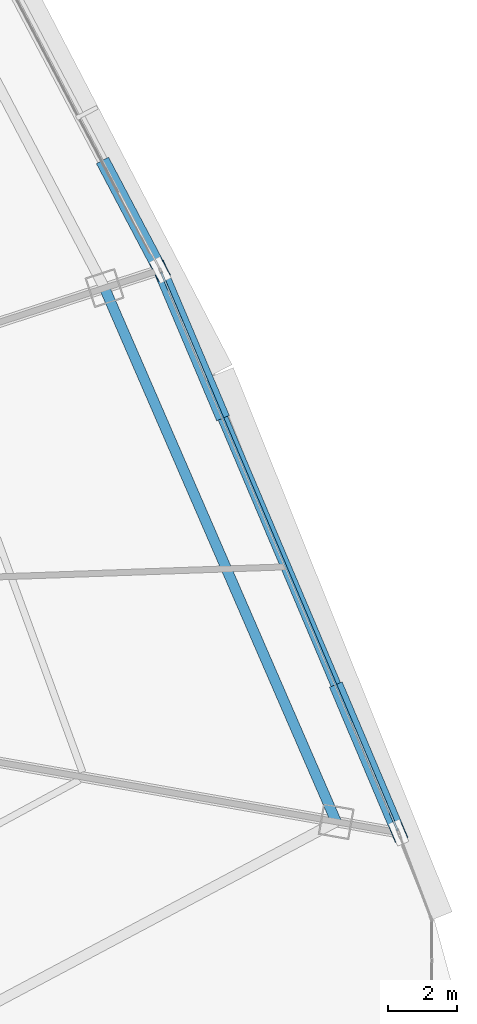
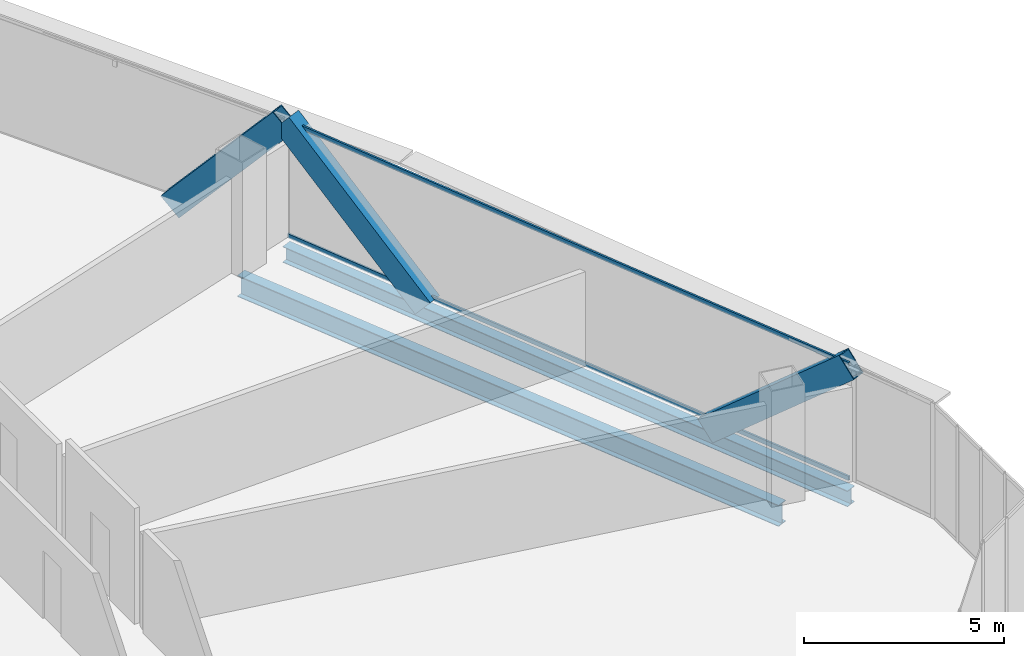
# One storey, part 24 of 38: 5 members, 2 beams, 1 element without a shape of its own.
"""IFC4 building model written with IfcOpenShell, lengths in metres."""

from ifc_helpers import new_model, si_unit, direction, frame, origin, origin_2d, place, context, subcontext, project, spatial, hollow_rectangle, i_section, extrude, source, transform, mapped, material, layer, layer_set, material_profile, profile_set, type_object, element, aggregate, save


model = new_model("IFC4")

# Units and contexts
model_context = context("Model", 3, precision=1e-05, world=origin(), true_north=direction((0.0, 1.0)))
body_context = subcontext(model_context, "Body", "Model", "MODEL_VIEW")
ifc_project = project(units=[si_unit("LENGTHUNIT", "METRE"), si_unit("AREAUNIT", "SQUARE_METRE"), si_unit("VOLUMEUNIT", "CUBIC_METRE"), si_unit("PLANEANGLEUNIT", "RADIAN"), si_unit("MASSUNIT", "GRAM", prefix="KILO"), si_unit("THERMODYNAMICTEMPERATUREUNIT", "KELVIN"), si_unit("POWERUNIT", "WATT")], contexts=[model_context])

# Site, building, storey
site_placement = place(None, origin())
site = spatial("IfcSite", under=ifc_project, at=site_placement, CompositionType="ELEMENT")
building_placement = place(site_placement, origin())
building = spatial("IfcBuilding", under=site, at=building_placement, Name="Yunzhuo Pagoda Commons", CompositionType="ELEMENT")
storey_placement = place(building_placement, frame((0.0, 0.0, 203.760009765625)))
storey = spatial("IfcBuildingStorey", under=building, at=storey_placement, Name="L51", CompositionType="ELEMENT", Elevation=203.760009765625)

# Beams
ifc_material_1 = material(Name="Structural steel Q355B", Category="steel")
ifc_material_profile_1 = material_profile(ifc_material_1, i_section(OverallWidth=0.300048828125, OverallDepth=0.64990234375, WebThickness=0.012939453125, FlangeThickness=0.02197265625, at=origin_2d()), Name="Structural steel Q355B")
ifc_profile_set_1 = profile_set([ifc_material_profile_1], Name="Structural steel Q355B")
beam_type_1 = type_object("IfcBeamType", Name="B-RG2 Beam HN 650x300x13x22", PredefinedType="BEAM", material=ifc_profile_set_1)
shared_shape_1 = source(origin(), body_context, "Body", "SweptSolid", [
    extrude(i_section(OverallWidth=0.300048828125, OverallDepth=0.64990234375, WebThickness=0.012939453125, FlangeThickness=0.02197265625, at=origin_2d()), origin(), (0.0, 0.0, 1.0), 16.859619140625),
])
beam_1_placement = place(storey_placement, frame((83.20654296875, 27.492431640625, -0.5849609375), z_axis=(-0.398104384161, 0.917340121935, 0.0), x_axis=(-0.917340121935, -0.398104384161, 0.0)))
element("IfcBeam", 1, at=beam_1_placement, inside=storey, type_object=beam_type_1, Name="L51 column-ring beam 5", PredefinedType="BEAM", context=body_context, shape_type="MappedRepresentation", body=[
    mapped(shared_shape_1, transform((0.0, 0.0, 0.0), scale=1.0)),
])
ifc_material_profile_2 = material_profile(ifc_material_1, i_section(OverallWidth=0.300048828125, OverallDepth=0.488037109375, WebThickness=0.010986328125, FlangeThickness=0.01806640625, at=origin_2d()), Name="Structural steel Q355B")
ifc_profile_set_2 = profile_set([ifc_material_profile_2], Name="Structural steel Q355B")
beam_type_2 = type_object("IfcBeamType", Name="B-SP1 Beam HM 488x300x11x18", PredefinedType="BEAM", material=ifc_profile_set_2)
shared_shape_2 = source(origin(), body_context, "Body", "SweptSolid", [
    extrude(i_section(OverallWidth=0.300048828125, OverallDepth=0.488037109375, WebThickness=0.010986328125, FlangeThickness=0.01806640625, at=origin_2d()), origin(), (0.0, 0.0, 1.0), 17.71142578125),
])
beam_2_placement = place(storey_placement, frame((85.014404296875, 27.17333984375, -0.503662109375), z_axis=(-0.389974526581, 0.92082564507, 0.0), x_axis=(-0.92082564507, -0.389974526581, 0.0)))
element("IfcBeam", 2, at=beam_2_placement, inside=storey, type_object=beam_type_2, Name="L51 facade edge spandrel beam F2.1", PredefinedType="BEAM", context=body_context, shape_type="MappedRepresentation", body=[
    mapped(shared_shape_2, transform((0.0, 0.0, 0.0), scale=1.0)),
])

# Members
ifc_material_profile_3 = material_profile(ifc_material_1, hollow_rectangle(XDim=0.39990234375, YDim=0.719970703125, WallThickness=0.02392578125, at=origin_2d()), Name="Structural steel Q355B")
ifc_profile_set_3 = profile_set([ifc_material_profile_3], Name="Structural steel Q355B")
member_type_1 = type_object("IfcMemberType", Name="M-DL2 Brace BOX 720x400x24", PredefinedType="BRACE", material=ifc_profile_set_3)
shared_shape_3 = source(origin(), body_context, "Body", "SweptSolid", [
    extrude(hollow_rectangle(XDim=0.39990234375, YDim=0.719970703125, WallThickness=0.02392578125, at=origin_2d()), origin(), (0.0, 0.0, 1.0), 5.8349609375),
])
for number, where, z_axis, x_axis, name in (
    (3, (83.28759765625, 31.25048828125, -0.260009765625), (0.295947496417, -0.698759110725, 0.651268596313), (0.920816502007, 0.389996114892, 0.0), "L51 facade diamond brace F2.1L"),
    (4, (79.83447265625, 39.4052734375, -0.260009765625), (-0.295985672854, 0.698750457544, 0.651260531237), (-0.920796700115, -0.390042865666, 0.0), "L51 facade diamond brace F2.1R"),
):
    element("IfcMember", number, at=place(storey_placement, frame(where, z_axis=z_axis, x_axis=x_axis)), inside=storey, type_object=member_type_1, Name=name, PredefinedType="BRACE", context=body_context, shape_type="MappedRepresentation", body=[
        mapped(shared_shape_3, transform((0.0, 0.0, 0.0), scale=1.0)),
    ])
shared_shape_4 = source(origin(), body_context, "Body", "SweptSolid", [
    extrude(hollow_rectangle(XDim=0.39990234375, YDim=0.719970703125, WallThickness=0.02392578125, at=origin_2d()), origin(), (0.0, 0.0, 1.0), 5.046630859375),
])
member_1_placement = place(storey_placement, frame((76.558837890625, 46.419921875, -0.260009765625), z_axis=(0.306861600921, -0.582083995316, 0.753003439751), x_axis=(0.884603842661, 0.466343265791, 0.0)))
element("IfcMember", 5, at=member_1_placement, inside=storey, type_object=member_type_1, Name="L51 facade diamond brace F2.2L", PredefinedType="BRACE", context=body_context, shape_type="MappedRepresentation", body=[
    mapped(shared_shape_4, transform((0.0, 0.0, 0.0), scale=1.0)),
])

# Curtain wall, members
ifc_material_2 = material(Name="Anodized aluminium 6063-T6", Category="aluminium")
ifc_layer = layer(ifc_material_2, 0.14990234375)
ifc_layer_set = layer_set([ifc_layer], Name="Anodized aluminium 6063-T6")
curtain_wall_type = type_object("IfcCurtainWallType", Name="CW-MID Mid-Zone Ribbon Curtain Wall", PredefinedType="NOTDEFINED", material=ifc_layer_set)
curtain_wall_placement = place(storey_placement, origin())
curtain_wall = element("IfcCurtainWall", 6, at=curtain_wall_placement, inside=storey, type_object=curtain_wall_type, Name="L51 curtain wall CW-L51-F2B2", PredefinedType="NOTDEFINED")
ifc_material_profile_4 = material_profile(ifc_material_2, hollow_rectangle(XDim=0.054931640625, YDim=0.1298828125, WallThickness=0.00341796875, at=origin_2d()), Name="Anodized aluminium 6063-T6")
ifc_profile_set_4 = profile_set([ifc_material_profile_4], Name="Anodized aluminium 6063-T6")
member_type_2 = type_object("IfcMemberType", Name="CW-MID-T Transom RHS 130x55x3.5", PredefinedType="USERDEFINED", material=ifc_profile_set_4)
shared_shape_5 = source(origin(), body_context, "Body", "SweptSolid", [
    extrude(hollow_rectangle(XDim=0.054931640625, YDim=0.1298828125, WallThickness=0.00341796875, at=origin_2d()), origin(), (0.0, 0.0, 1.0), 17.591552734375),
])
member_2_placement = place(storey_placement, frame((84.9912109375, 27.228515625, 0.027587890625), z_axis=(-0.389979520637, 0.920823530045, 0.0), x_axis=(-0.920823530045, -0.389979520637, 0.0)))
member_2 = element("IfcMember", 7, at=member_2_placement, type_object=member_type_2, Name="CW transom 1.1", ObjectType="TRANSOM", PredefinedType="USERDEFINED", context=body_context, shape_type="MappedRepresentation", body=[
    mapped(shared_shape_5, transform((0.0, 0.0, 0.0), scale=1.0)),
])
member_3_placement = place(storey_placement, frame((84.9912109375, 27.228515625, 3.512451171875), z_axis=(-0.389979520637, 0.920823530045, 0.0), x_axis=(-0.920823530045, -0.389979520637, 0.0)))
member_3 = element("IfcMember", 8, at=member_3_placement, type_object=member_type_2, Name="CW transom 1.2", ObjectType="TRANSOM", PredefinedType="USERDEFINED", context=body_context, shape_type="MappedRepresentation", body=[
    mapped(shared_shape_5, transform((0.0, 0.0, 0.0), scale=1.0)),
])
aggregate(curtain_wall, [member_2, member_3])

save(model, "model.ifc")
